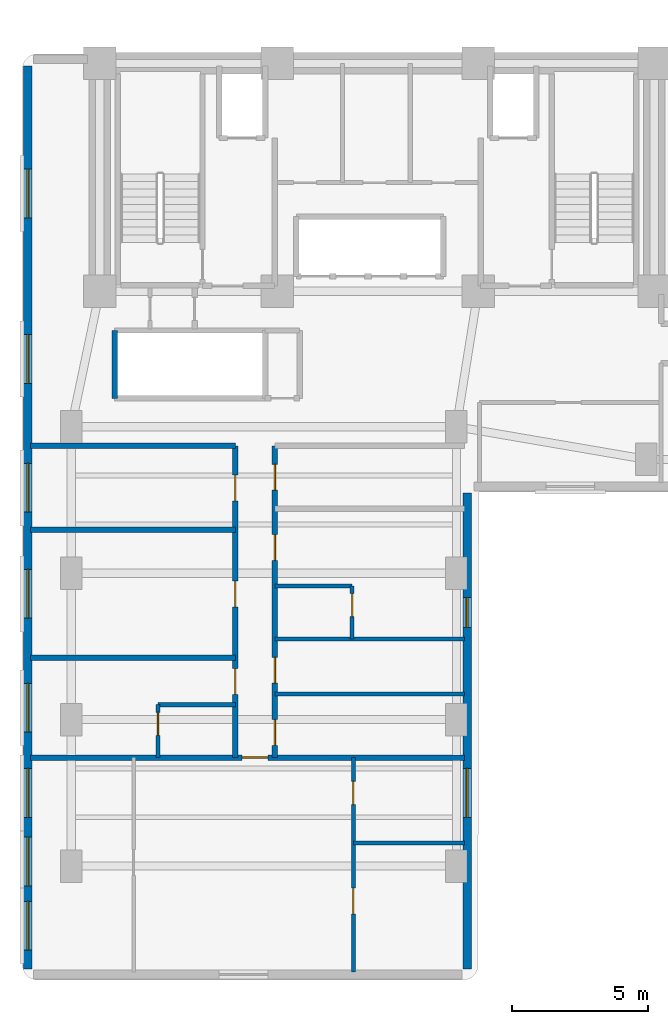
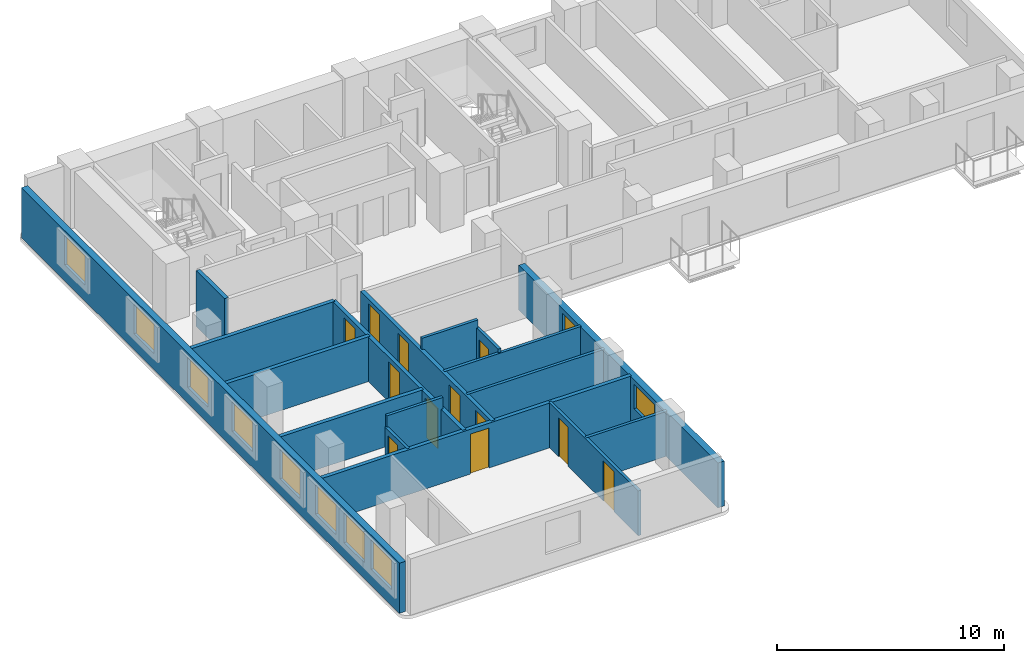
# One storey, part 3 of 10: 17 walls, 12 doors, 10 windows, 22 openings.
"""IFC4 building model written with IfcOpenShell, lengths in metres."""

from ifc_helpers import new_model, si_unit, direction, frame, frame_2d, origin, place, context, subcontext, project, spatial, rectangle, extrude, material, layer, layer_set, type_object, element, fill, save


model = new_model("IFC4")

# Units and contexts
model_context = context("Model", 3, precision=1e-05, world=origin(), true_north=direction((0.0, 1.0)))
body_context = subcontext(model_context, "Body", "Model", "MODEL_VIEW")
ifc_project = project(units=[si_unit("LENGTHUNIT", "METRE"), si_unit("AREAUNIT", "SQUARE_METRE"), si_unit("VOLUMEUNIT", "CUBIC_METRE"), si_unit("PLANEANGLEUNIT", "RADIAN"), si_unit("MASSUNIT", "GRAM", prefix="KILO")], contexts=[model_context])

# Site, building, storey
site_placement = place(None, origin())
site = spatial("IfcSite", under=ifc_project, at=site_placement, CompositionType="ELEMENT")
building_placement = place(site_placement, origin())
building = spatial("IfcBuilding", under=site, at=building_placement, Name="Kuzgunbayir Cultural Tower", CompositionType="ELEMENT")
storey_placement = place(building_placement, frame((0.0, 0.0, 93.0)))
storey = spatial("IfcBuildingStorey", under=building, at=storey_placement, Name="L26", CompositionType="ELEMENT", Elevation=93.0)

# Wall, openings, windows
ifc_material_1 = material(Name="Travertine Buff Ashlar", Category="masonry")
ifc_layer_1 = layer(ifc_material_1, 0.320068359375)
ifc_layer_set_1 = layer_set([ifc_layer_1], Name="Travertine Buff Ashlar")
wall_type_1 = type_object("IfcWallType", Name="WAL-EXT-STONE-320", PredefinedType="STANDARD", material=ifc_layer_set_1)
wall_1_placement = place(storey_placement, frame((3.800048828125, 42.10009765625, 0.0), z_axis=(0.0, 0.0, 1.0), x_axis=(0.0, -1.0, 0.0)))
wall_1 = element("IfcWall", 1, at=wall_1_placement, inside=storey, type_object=wall_type_1, Name="L26 Wing A West Limestone Wall", PredefinedType="STANDARD", context=body_context, shape_type="SweptSolid", body=[
    extrude(rectangle(XDim=33.300048828125, YDim=0.320068359375, at=frame_2d((16.64990234375, 0.0))), origin(), (0.0, 0.0, 1.0), 2.699951171875),
])
opening_1_placement = place(wall_1_placement, frame((22.760009765625, 0.0, 0.85009765625)))
opening_1 = element("IfcOpeningElement", 2, at=opening_1_placement, cuts=wall_1, Name="Opening WH-18", PredefinedType="OPENING", context=body_context, shape_type="SweptSolid", body=[
    extrude(rectangle(XDim=1.800048828125, YDim=1.60009765625, at=frame_2d((0.89990234375, 0.800048828125))), frame((0.0, 0.169921875, 0.0), z_axis=(0.0, -1.0, 0.0), x_axis=(1.0, 0.0, 0.0)), (0.0, 0.0, 1.0), 0.340087890625),
])
opening_2_placement = place(wall_1_placement, frame((18.56005859375, 0.0, 0.85009765625)))
opening_2 = element("IfcOpeningElement", 3, at=opening_2_placement, cuts=wall_1, Name="Opening WH-18", PredefinedType="OPENING", context=body_context, shape_type="SweptSolid", body=[
    extrude(rectangle(XDim=1.800048828125, YDim=1.60009765625, at=frame_2d((0.89990234375, 0.800048828125))), frame((0.0, 0.169921875, 0.0), z_axis=(0.0, -1.0, 0.0), x_axis=(1.0, 0.0, 0.0)), (0.0, 0.0, 1.0), 0.340087890625),
])
opening_3_placement = place(wall_1_placement, frame((14.64990234375, 0.0, 0.85009765625)))
opening_3 = element("IfcOpeningElement", 4, at=opening_3_placement, cuts=wall_1, Name="Opening WH-18", PredefinedType="OPENING", context=body_context, shape_type="SweptSolid", body=[
    extrude(rectangle(XDim=1.800048828125, YDim=1.60009765625, at=frame_2d((0.89990234375, 0.800048828125))), frame((0.0, 0.169921875, 0.0), z_axis=(0.0, -1.0, 0.0), x_axis=(1.0, 0.0, 0.0)), (0.0, 0.0, 1.0), 0.340087890625),
])
opening_4_placement = place(wall_1_placement, frame((28.429931640625, 0.0, 0.85009765625)))
opening_4 = element("IfcOpeningElement", 5, at=opening_4_placement, cuts=wall_1, Name="Opening WH-18", PredefinedType="OPENING", context=body_context, shape_type="SweptSolid", body=[
    extrude(rectangle(XDim=1.800048828125, YDim=1.60009765625, at=frame_2d((0.89990234375, 0.800048828125))), frame((0.0, 0.169921875, 0.0), z_axis=(0.0, -1.0, 0.0), x_axis=(1.0, 0.0, 0.0)), (0.0, 0.0, 1.0), 0.340087890625),
])
opening_5_placement = place(wall_1_placement, frame((30.800048828125, 0.0, 0.85009765625)))
opening_5 = element("IfcOpeningElement", 6, at=opening_5_placement, cuts=wall_1, Name="Opening WH-18", PredefinedType="OPENING", context=body_context, shape_type="SweptSolid", body=[
    extrude(rectangle(XDim=1.800048828125, YDim=1.60009765625, at=frame_2d((0.89990234375, 0.800048828125))), frame((0.0, 0.169921875, 0.0), z_axis=(0.0, -1.0, 0.0), x_axis=(1.0, 0.0, 0.0)), (0.0, 0.0, 1.0), 0.340087890625),
])
opening_6_placement = place(wall_1_placement, frame((25.89990234375, 0.0, 0.85009765625)))
opening_6 = element("IfcOpeningElement", 7, at=opening_6_placement, cuts=wall_1, Name="Opening WH-18", PredefinedType="OPENING", context=body_context, shape_type="SweptSolid", body=[
    extrude(rectangle(XDim=1.800048828125, YDim=1.60009765625, at=frame_2d((0.89990234375, 0.800048828125))), frame((0.0, 0.169921875, 0.0), z_axis=(0.0, -1.0, 0.0), x_axis=(1.0, 0.0, 0.0)), (0.0, 0.0, 1.0), 0.340087890625),
])
opening_7_placement = place(wall_1_placement, frame((9.89990234375, 0.0, 0.85009765625)))
opening_7 = element("IfcOpeningElement", 8, at=opening_7_placement, cuts=wall_1, Name="Opening WH-18", PredefinedType="OPENING", context=body_context, shape_type="SweptSolid", body=[
    extrude(rectangle(XDim=1.800048828125, YDim=1.60009765625, at=frame_2d((0.89990234375, 0.800048828125))), frame((0.0, 0.169921875, 0.0), z_axis=(0.0, -1.0, 0.0), x_axis=(1.0, 0.0, 0.0)), (0.0, 0.0, 1.0), 0.340087890625),
])
opening_8_placement = place(wall_1_placement, frame((3.800048828125, 0.0, 0.85009765625)))
opening_8 = element("IfcOpeningElement", 9, at=opening_8_placement, cuts=wall_1, Name="Opening WH-18", PredefinedType="OPENING", context=body_context, shape_type="SweptSolid", body=[
    extrude(rectangle(XDim=1.800048828125, YDim=1.60009765625, at=frame_2d((0.89990234375, 0.800048828125))), frame((0.0, 0.169921875, 0.0), z_axis=(0.0, -1.0, 0.0), x_axis=(1.0, 0.0, 0.0)), (0.0, 0.0, 1.0), 0.340087890625),
])
ifc_material_2 = material(Name="Solar-Control Triple Glazing", Category="glass")
window_type_1 = type_object("IfcWindowType", Name="WIN-HOTEL-18", PartitioningType="SINGLE_PANEL", PredefinedType="WINDOW", material=ifc_material_2)
window_1_placement = place(opening_1_placement, origin())
window_1 = element("IfcWindow", 10, at=window_1_placement, inside=storey, type_object=window_type_1, Name="L26 WAW Facade Window 2", OverallHeight=1.60009765625, OverallWidth=1.800048828125, PartitioningType="SINGLE_PANEL", PredefinedType="WINDOW", context=body_context, shape_type="SweptSolid", body=[
    extrude(rectangle(XDim=1.800048828125, YDim=1.60009765625, at=frame_2d((0.89990234375, 0.800048828125))), frame((0.0, 0.030029296875, 0.0), z_axis=(0.0, -1.0, 0.0), x_axis=(1.0, 0.0, 0.0)), (0.0, 0.0, 1.0), 0.06005859375),
])
fill(opening_1, window_1)
window_2_placement = place(opening_2_placement, origin())
window_2 = element("IfcWindow", 11, at=window_2_placement, inside=storey, type_object=window_type_1, Name="L26 WAW Facade Window 3", OverallHeight=1.60009765625, OverallWidth=1.800048828125, PartitioningType="SINGLE_PANEL", PredefinedType="WINDOW", context=body_context, shape_type="SweptSolid", body=[
    extrude(rectangle(XDim=1.800048828125, YDim=1.60009765625, at=frame_2d((0.89990234375, 0.800048828125))), frame((0.0, 0.030029296875, 0.0), z_axis=(0.0, -1.0, 0.0), x_axis=(1.0, 0.0, 0.0)), (0.0, 0.0, 1.0), 0.06005859375),
])
fill(opening_2, window_2)
window_3_placement = place(opening_3_placement, origin())
window_3 = element("IfcWindow", 12, at=window_3_placement, inside=storey, type_object=window_type_1, Name="L26 WAW Facade Window 4", OverallHeight=1.60009765625, OverallWidth=1.800048828125, PartitioningType="SINGLE_PANEL", PredefinedType="WINDOW", context=body_context, shape_type="SweptSolid", body=[
    extrude(rectangle(XDim=1.800048828125, YDim=1.60009765625, at=frame_2d((0.89990234375, 0.800048828125))), frame((0.0, 0.030029296875, 0.0), z_axis=(0.0, -1.0, 0.0), x_axis=(1.0, 0.0, 0.0)), (0.0, 0.0, 1.0), 0.06005859375),
])
fill(opening_3, window_3)
window_4_placement = place(opening_4_placement, origin())
window_4 = element("IfcWindow", 13, at=window_4_placement, inside=storey, type_object=window_type_1, Name="L26 WAW Facade Window 5", OverallHeight=1.60009765625, OverallWidth=1.800048828125, PartitioningType="SINGLE_PANEL", PredefinedType="WINDOW", context=body_context, shape_type="SweptSolid", body=[
    extrude(rectangle(XDim=1.800048828125, YDim=1.60009765625, at=frame_2d((0.89990234375, 0.800048828125))), frame((0.0, 0.030029296875, 0.0), z_axis=(0.0, -1.0, 0.0), x_axis=(1.0, 0.0, 0.0)), (0.0, 0.0, 1.0), 0.06005859375),
])
fill(opening_4, window_4)
window_5_placement = place(opening_5_placement, origin())
window_5 = element("IfcWindow", 14, at=window_5_placement, inside=storey, type_object=window_type_1, Name="L26 WAW Facade Window 11", OverallHeight=1.60009765625, OverallWidth=1.800048828125, PartitioningType="SINGLE_PANEL", PredefinedType="WINDOW", context=body_context, shape_type="SweptSolid", body=[
    extrude(rectangle(XDim=1.800048828125, YDim=1.60009765625, at=frame_2d((0.89990234375, 0.800048828125))), frame((0.0, 0.030029296875, 0.0), z_axis=(0.0, -1.0, 0.0), x_axis=(1.0, 0.0, 0.0)), (0.0, 0.0, 1.0), 0.06005859375),
])
fill(opening_5, window_5)
window_6_placement = place(opening_6_placement, origin())
window_6 = element("IfcWindow", 15, at=window_6_placement, inside=storey, type_object=window_type_1, Name="L26 WAW Facade Window 12", OverallHeight=1.60009765625, OverallWidth=1.800048828125, PartitioningType="SINGLE_PANEL", PredefinedType="WINDOW", context=body_context, shape_type="SweptSolid", body=[
    extrude(rectangle(XDim=1.800048828125, YDim=1.60009765625, at=frame_2d((0.89990234375, 0.800048828125))), frame((0.0, 0.030029296875, 0.0), z_axis=(0.0, -1.0, 0.0), x_axis=(1.0, 0.0, 0.0)), (0.0, 0.0, 1.0), 0.06005859375),
])
fill(opening_6, window_6)
window_7_placement = place(opening_7_placement, origin())
window_7 = element("IfcWindow", 16, at=window_7_placement, inside=storey, type_object=window_type_1, Name="L26 WAW Facade Window 13", OverallHeight=1.60009765625, OverallWidth=1.800048828125, PartitioningType="SINGLE_PANEL", PredefinedType="WINDOW", context=body_context, shape_type="SweptSolid", body=[
    extrude(rectangle(XDim=1.800048828125, YDim=1.60009765625, at=frame_2d((0.89990234375, 0.800048828125))), frame((0.0, 0.030029296875, 0.0), z_axis=(0.0, -1.0, 0.0), x_axis=(1.0, 0.0, 0.0)), (0.0, 0.0, 1.0), 0.06005859375),
])
fill(opening_7, window_7)
window_8_placement = place(opening_8_placement, origin())
window_8 = element("IfcWindow", 17, at=window_8_placement, inside=storey, type_object=window_type_1, Name="L26 WAW Facade Window 14", OverallHeight=1.60009765625, OverallWidth=1.800048828125, PartitioningType="SINGLE_PANEL", PredefinedType="WINDOW", context=body_context, shape_type="SweptSolid", body=[
    extrude(rectangle(XDim=1.800048828125, YDim=1.60009765625, at=frame_2d((0.89990234375, 0.800048828125))), frame((0.0, 0.030029296875, 0.0), z_axis=(0.0, -1.0, 0.0), x_axis=(1.0, 0.0, 0.0)), (0.0, 0.0, 1.0), 0.06005859375),
])
fill(opening_8, window_8)

wall_2_placement = place(storey_placement, frame((20.0, 8.800048828125, 0.0), z_axis=(0.0, 0.0, 1.0), x_axis=(0.0, 1.0, 0.0)))
wall_2 = element("IfcWall", 18, at=wall_2_placement, inside=storey, type_object=wall_type_1, Name="L26 Wing A East Limestone Wall", PredefinedType="STANDARD", context=body_context, shape_type="SweptSolid", body=[
    extrude(rectangle(XDim=17.550048828125, YDim=0.320068359375, at=frame_2d((8.77490234375, 0.0))), origin(), (0.0, 0.0, 1.0), 2.409912109375),
])
opening_9_placement = place(wall_2_placement, frame((12.60009765625, 0.0, 0.85009765625)))
opening_9 = element("IfcOpeningElement", 19, at=opening_9_placement, cuts=wall_2, Name="Opening WN-11", PredefinedType="OPENING", context=body_context, shape_type="SweptSolid", body=[
    extrude(rectangle(XDim=1.10009765625, YDim=1.31005859375, at=frame_2d((0.550048828125, 0.655029296875))), frame((0.0, 0.169921875, 0.0), z_axis=(0.0, -1.0, 0.0), x_axis=(1.0, 0.0, 0.0)), (0.0, 0.0, 1.0), 0.340087890625),
])
opening_10_placement = place(wall_2_placement, frame((5.60009765625, 0.0, 0.85009765625)))
opening_10 = element("IfcOpeningElement", 20, at=opening_10_placement, cuts=wall_2, Name="Opening WH-18", PredefinedType="OPENING", context=body_context, shape_type="SweptSolid", body=[
    extrude(rectangle(XDim=1.800048828125, YDim=1.31005859375, at=frame_2d((0.89990234375, 0.655029296875))), frame((0.0, 0.169921875, 0.0), z_axis=(0.0, -1.0, 0.0), x_axis=(1.0, 0.0, 0.0)), (0.0, 0.0, 1.0), 0.340087890625),
])
window_9_placement = place(opening_10_placement, origin())
window_9 = element("IfcWindow", 21, at=window_9_placement, inside=storey, type_object=window_type_1, Name="L26 WAE Facade Window 15", OverallHeight=1.31005859375, OverallWidth=1.800048828125, PartitioningType="SINGLE_PANEL", PredefinedType="WINDOW", context=body_context, shape_type="SweptSolid", body=[
    extrude(rectangle(XDim=1.800048828125, YDim=1.31005859375, at=frame_2d((0.89990234375, 0.655029296875))), frame((0.0, 0.030029296875, 0.0), z_axis=(0.0, -1.0, 0.0), x_axis=(1.0, 0.0, 0.0)), (0.0, 0.0, 1.0), 0.06005859375),
])
fill(opening_10, window_9)
window_type_2 = type_object("IfcWindowType", Name="WIN-NARROW-11", PartitioningType="SINGLE_PANEL", PredefinedType="WINDOW", material=ifc_material_2)
window_10_placement = place(opening_9_placement, origin())
window_10 = element("IfcWindow", 22, at=window_10_placement, inside=storey, type_object=window_type_2, Name="L26 WAE Facade Window 7", OverallHeight=1.31005859375, OverallWidth=1.10009765625, PartitioningType="SINGLE_PANEL", PredefinedType="WINDOW", context=body_context, shape_type="SweptSolid", body=[
    extrude(rectangle(XDim=1.10009765625, YDim=1.31005859375, at=frame_2d((0.550048828125, 0.655029296875))), frame((0.0, 0.030029296875, 0.0), z_axis=(0.0, -1.0, 0.0), x_axis=(1.0, 0.0, 0.0)), (0.0, 0.0, 1.0), 0.06005859375),
])
fill(opening_9, window_10)

# Wall
ifc_material_3 = material(Name="Acoustic Double-Stud Drywall", Category="gypsum")
ifc_layer_2 = layer(ifc_material_3, 0.14990234375)
ifc_layer_set_2 = layer_set([ifc_layer_2], Name="Acoustic Double-Stud Drywall")
wall_type_2 = type_object("IfcWallType", Name="WAL-PART-ACOUSTIC-150", PredefinedType="PARTITIONING", material=ifc_layer_set_2)
wall_3_placement = place(storey_placement, frame((12.909912109375, 18.949951171875, 0.0), z_axis=(0.0, 0.0, 1.0), x_axis=(1.0, 0.0, 0.0)))
element("IfcWall", 23, at=wall_3_placement, inside=storey, type_object=wall_type_2, Name="L26 Housekeeping North Wall", PredefinedType="PARTITIONING", context=body_context, shape_type="SweptSolid", body=[
    extrude(rectangle(XDim=6.989990234375, YDim=0.14990234375, at=frame_2d((3.4951171875, 0.0))), origin(), (0.0, 0.0, 1.0), 2.409912109375),
])

# Wall, openings, doors
ifc_material_4 = material(Name="Aerated Concrete Blockwork", Category="masonry")
ifc_layer_3 = layer(ifc_material_4, 0.199951171875)
ifc_layer_set_3 = layer_set([ifc_layer_3], Name="Aerated Concrete Blockwork")
wall_type_3 = type_object("IfcWallType", Name="WAL-PART-FIRE-200", PredefinedType="PARTITIONING", material=ifc_layer_set_3)
wall_4_placement = place(storey_placement, frame((11.449951171875, 16.60009765625, 0.0), z_axis=(0.0, 0.0, 1.0), x_axis=(0.0, 1.0, 0.0)))
wall_4 = element("IfcWall", 24, at=wall_4_placement, inside=storey, type_object=wall_type_3, Name="L26 Wing A West Corridor Wall", PredefinedType="PARTITIONING", context=body_context, shape_type="SweptSolid", body=[
    extrude(rectangle(XDim=11.5, YDim=0.199951171875, at=frame_2d((5.75, 0.0))), origin(), (0.0, 0.0, 1.0), 2.409912109375),
])
opening_11_placement = place(wall_4_placement, frame((2.330078125, 0.0, 0.0)))
opening_11 = element("IfcOpeningElement", 25, at=opening_11_placement, cuts=wall_4, Name="Opening DR-APT-60", PredefinedType="OPENING", context=body_context, shape_type="SweptSolid", body=[
    extrude(rectangle(XDim=0.949951171875, YDim=2.14990234375, at=frame_2d((0.47509765625, 1.074951171875))), frame((0.0, 0.10986328125, 0.0), z_axis=(0.0, -1.0, 0.0), x_axis=(1.0, 0.0, 0.0)), (0.0, 0.0, 1.0), 0.219970703125),
])
opening_12_placement = place(wall_4_placement, frame((5.56005859375, 0.0, 0.0)))
opening_12 = element("IfcOpeningElement", 26, at=opening_12_placement, cuts=wall_4, Name="Opening DI-90", PredefinedType="OPENING", context=body_context, shape_type="SweptSolid", body=[
    extrude(rectangle(XDim=0.949951171875, YDim=2.14990234375, at=frame_2d((0.47509765625, 1.074951171875))), frame((0.0, 0.10986328125, 0.0), z_axis=(0.0, -1.0, 0.0), x_axis=(1.0, 0.0, 0.0)), (0.0, 0.0, 1.0), 0.219970703125),
])
opening_13_placement = place(wall_4_placement, frame((9.469970703125, 0.0, 0.0)))
opening_13 = element("IfcOpeningElement", 27, at=opening_13_placement, cuts=wall_4, Name="Opening DI-90", PredefinedType="OPENING", context=body_context, shape_type="SweptSolid", body=[
    extrude(rectangle(XDim=0.949951171875, YDim=2.14990234375, at=frame_2d((0.47509765625, 1.074951171875))), frame((0.0, 0.10986328125, 0.0), z_axis=(0.0, -1.0, 0.0), x_axis=(1.0, 0.0, 0.0)), (0.0, 0.0, 1.0), 0.219970703125),
])
ifc_material_5 = material(Name="Acoustic Fire Timber Leaf", Category="wood")
door_type_1 = type_object("IfcDoorType", Name="DR-APT-60", OperationType="NOTDEFINED", PredefinedType="DOOR", material=ifc_material_5)
door_1_placement = place(opening_11_placement, origin())
door_1 = element("IfcDoor", 28, at=door_1_placement, inside=storey, type_object=door_type_1, Name="L26 Guest Suite W1 Entrance", OperationType="SINGLE_SWING_LEFT", OverallHeight=2.14990234375, OverallWidth=0.949951171875, PredefinedType="DOOR", context=body_context, shape_type="SweptSolid", body=[
    extrude(rectangle(XDim=0.949951171875, YDim=2.14990234375, at=frame_2d((0.47509765625, 1.074951171875))), frame((0.0, 0.02490234375, 0.0), z_axis=(0.0, -1.0, 0.0), x_axis=(1.0, 0.0, 0.0)), (0.0, 0.0, 1.0), 0.050048828125),
])
fill(opening_11, door_1)
ifc_material_6 = material(Name="Veneered Oak Single Leaf", Category="wood")
door_type_2 = type_object("IfcDoorType", Name="DR-INT-90", OperationType="NOTDEFINED", PredefinedType="DOOR", material=ifc_material_6)
door_2_placement = place(opening_12_placement, origin())
door_2 = element("IfcDoor", 29, at=door_2_placement, inside=storey, type_object=door_type_2, Name="L26 Wellness Consultation Studio 2 Door", OperationType="SINGLE_SWING_RIGHT", OverallHeight=2.14990234375, OverallWidth=0.949951171875, PredefinedType="DOOR", context=body_context, shape_type="SweptSolid", body=[
    extrude(rectangle(XDim=0.949951171875, YDim=2.14990234375, at=frame_2d((0.47509765625, 1.074951171875))), frame((0.0, 0.02490234375, 0.0), z_axis=(0.0, -1.0, 0.0), x_axis=(1.0, 0.0, 0.0)), (0.0, 0.0, 1.0), 0.050048828125),
])
fill(opening_12, door_2)
door_3_placement = place(opening_13_placement, origin())
door_3 = element("IfcDoor", 30, at=door_3_placement, inside=storey, type_object=door_type_2, Name="L26 Wellness Consultation Studio 3 Door", OperationType="SINGLE_SWING_LEFT", OverallHeight=2.14990234375, OverallWidth=0.949951171875, PredefinedType="DOOR", context=body_context, shape_type="SweptSolid", body=[
    extrude(rectangle(XDim=0.949951171875, YDim=2.14990234375, at=frame_2d((0.47509765625, 1.074951171875))), frame((0.0, 0.02490234375, 0.0), z_axis=(0.0, -1.0, 0.0), x_axis=(1.0, 0.0, 0.0)), (0.0, 0.0, 1.0), 0.050048828125),
])
fill(opening_13, door_3)

wall_5_placement = place(storey_placement, frame((12.909912109375, 16.60009765625, 0.0), z_axis=(0.0, 0.0, 1.0), x_axis=(0.0, 1.0, 0.0)))
wall_5 = element("IfcWall", 31, at=wall_5_placement, inside=storey, type_object=wall_type_3, Name="L26 Wing A East Corridor Wall", PredefinedType="PARTITIONING", context=body_context, shape_type="SweptSolid", body=[
    extrude(rectangle(XDim=11.5, YDim=0.199951171875, at=frame_2d((5.75, 0.0))), origin(), (0.0, 0.0, 1.0), 2.409912109375),
])
opening_14_placement = place(wall_5_placement, frame((0.449951171875, 0.0, 0.0)))
opening_14 = element("IfcOpeningElement", 32, at=opening_14_placement, cuts=wall_5, Name="Opening DI-90", PredefinedType="OPENING", context=body_context, shape_type="SweptSolid", body=[
    extrude(rectangle(XDim=0.949951171875, YDim=2.14990234375, at=frame_2d((0.47509765625, 1.074951171875))), frame((0.0, 0.10986328125, 0.0), z_axis=(0.0, -1.0, 0.0), x_axis=(1.0, 0.0, 0.0)), (0.0, 0.0, 1.0), 0.219970703125),
])
opening_15_placement = place(wall_5_placement, frame((2.75, 0.0, 0.0)))
opening_15 = element("IfcOpeningElement", 33, at=opening_15_placement, cuts=wall_5, Name="Opening DW-95", PredefinedType="OPENING", context=body_context, shape_type="SweptSolid", body=[
    extrude(rectangle(XDim=0.949951171875, YDim=2.10009765625, at=frame_2d((0.47509765625, 1.050048828125))), frame((0.0, 0.10986328125, 0.0), z_axis=(0.0, -1.0, 0.0), x_axis=(1.0, 0.0, 0.0)), (0.0, 0.0, 1.0), 0.219970703125),
])
opening_16_placement = place(wall_5_placement, frame((9.860107421875, 0.0, 0.0)))
opening_16 = element("IfcOpeningElement", 34, at=opening_16_placement, cuts=wall_5, Name="Opening DI-90", PredefinedType="OPENING", context=body_context, shape_type="SweptSolid", body=[
    extrude(rectangle(XDim=0.949951171875, YDim=2.14990234375, at=frame_2d((0.47509765625, 1.074951171875))), frame((0.0, 0.10986328125, 0.0), z_axis=(0.0, -1.0, 0.0), x_axis=(1.0, 0.0, 0.0)), (0.0, 0.0, 1.0), 0.219970703125),
])
opening_17_placement = place(wall_5_placement, frame((7.27001953125, 0.0, 0.0)))
opening_17 = element("IfcOpeningElement", 35, at=opening_17_placement, cuts=wall_5, Name="Opening DR-APT-60", PredefinedType="OPENING", context=body_context, shape_type="SweptSolid", body=[
    extrude(rectangle(XDim=0.949951171875, YDim=2.14990234375, at=frame_2d((0.47509765625, 1.074951171875))), frame((0.0, 0.10986328125, 0.0), z_axis=(0.0, -1.0, 0.0), x_axis=(1.0, 0.0, 0.0)), (0.0, 0.0, 1.0), 0.219970703125),
])
door_4_placement = place(opening_17_placement, origin())
door_4 = element("IfcDoor", 36, at=door_4_placement, inside=storey, type_object=door_type_1, Name="L26 Guest Suite E1 Entrance", OperationType="SINGLE_SWING_RIGHT", OverallHeight=2.14990234375, OverallWidth=0.949951171875, PredefinedType="DOOR", context=body_context, shape_type="SweptSolid", body=[
    extrude(rectangle(XDim=0.949951171875, YDim=2.14990234375, at=frame_2d((0.47509765625, 1.074951171875))), frame((0.0, 0.02490234375, 0.0), z_axis=(0.0, -1.0, 0.0), x_axis=(1.0, 0.0, 0.0)), (0.0, 0.0, 1.0), 0.050048828125),
])
fill(opening_17, door_4)
door_5_placement = place(opening_14_placement, origin())
door_5 = element("IfcDoor", 37, at=door_5_placement, inside=storey, type_object=door_type_2, Name="L26 Housekeeping Room Door", OperationType="SINGLE_SWING_RIGHT", OverallHeight=2.14990234375, OverallWidth=0.949951171875, PredefinedType="DOOR", context=body_context, shape_type="SweptSolid", body=[
    extrude(rectangle(XDim=0.949951171875, YDim=2.14990234375, at=frame_2d((0.47509765625, 1.074951171875))), frame((0.0, 0.02490234375, 0.0), z_axis=(0.0, -1.0, 0.0), x_axis=(1.0, 0.0, 0.0)), (0.0, 0.0, 1.0), 0.050048828125),
])
fill(opening_14, door_5)
door_6_placement = place(opening_16_placement, origin())
door_6 = element("IfcDoor", 38, at=door_6_placement, inside=storey, type_object=door_type_2, Name="L26 Wellness Consultation Studio E1 Door", OperationType="SINGLE_SWING_RIGHT", OverallHeight=2.14990234375, OverallWidth=0.949951171875, PredefinedType="DOOR", context=body_context, shape_type="SweptSolid", body=[
    extrude(rectangle(XDim=0.949951171875, YDim=2.14990234375, at=frame_2d((0.47509765625, 1.074951171875))), frame((0.0, 0.02490234375, 0.0), z_axis=(0.0, -1.0, 0.0), x_axis=(1.0, 0.0, 0.0)), (0.0, 0.0, 1.0), 0.050048828125),
])
fill(opening_16, door_6)
ifc_material_7 = material(Name="Laminate Moisture-Resistant Leaf", Category="wood")
door_type_3 = type_object("IfcDoorType", Name="DR-WET-95", OperationType="NOTDEFINED", PredefinedType="DOOR", material=ifc_material_7)
door_7_placement = place(opening_15_placement, origin())
door_7 = element("IfcDoor", 39, at=door_7_placement, inside=storey, type_object=door_type_3, Name="L26 Accessible WC Door", OperationType="SINGLE_SWING_LEFT", OverallHeight=2.10009765625, OverallWidth=0.949951171875, PredefinedType="DOOR", context=body_context, shape_type="SweptSolid", body=[
    extrude(rectangle(XDim=0.949951171875, YDim=2.10009765625, at=frame_2d((0.47509765625, 1.050048828125))), frame((0.0, 0.02490234375, 0.0), z_axis=(0.0, -1.0, 0.0), x_axis=(1.0, 0.0, 0.0)), (0.0, 0.0, 1.0), 0.050048828125),
])
fill(opening_15, door_7)

# Wall, opening, door
wall_6_placement = place(storey_placement, frame((3.89990234375, 16.60009765625, 0.0), z_axis=(0.0, 0.0, 1.0), x_axis=(1.0, 0.0, 0.0)))
wall_6 = element("IfcWall", 40, at=wall_6_placement, inside=storey, type_object=wall_type_3, Name="L26 South Cross Partition", PredefinedType="PARTITIONING", context=body_context, shape_type="SweptSolid", body=[
    extrude(rectangle(XDim=16.0, YDim=0.199951171875, at=frame_2d((8.0, 0.0))), origin(), (0.0, 0.0, 1.0), 2.409912109375),
])
opening_18_placement = place(wall_6_placement, frame((7.800048828125, 0.0, 0.0)))
opening_18 = element("IfcOpeningElement", 41, at=opening_18_placement, cuts=wall_6, Name="Opening DR-APT-60", PredefinedType="OPENING", context=body_context, shape_type="SweptSolid", body=[
    extrude(rectangle(XDim=0.949951171875, YDim=2.14990234375, at=frame_2d((0.47509765625, 1.074951171875))), frame((0.0, 0.10986328125, 0.0), z_axis=(0.0, -1.0, 0.0), x_axis=(1.0, 0.0, 0.0)), (0.0, 0.0, 1.0), 0.219970703125),
])
door_8_placement = place(opening_18_placement, origin())
door_8 = element("IfcDoor", 42, at=door_8_placement, inside=storey, type_object=door_type_1, Name="L26 Diplomatic Suite Entrance", OperationType="SINGLE_SWING_RIGHT", OverallHeight=2.14990234375, OverallWidth=0.949951171875, PredefinedType="DOOR", context=body_context, shape_type="SweptSolid", body=[
    extrude(rectangle(XDim=0.949951171875, YDim=2.14990234375, at=frame_2d((0.47509765625, 1.074951171875))), frame((0.0, 0.02490234375, 0.0), z_axis=(0.0, -1.0, 0.0), x_axis=(1.0, 0.0, 0.0)), (0.0, 0.0, 1.0), 0.050048828125),
])
fill(opening_18, door_8)

# Walls
for number, where, z_axis, x_axis, name in (
    (43, (3.89990234375, 28.10009765625, 0.0), (0.0, 0.0, 1.0), (1.0, 0.0, 0.0), "L26 North West Partition"),
    (44, (3.89990234375, 20.280029296875, 0.0), (0.0, 0.0, 1.0), (1.0, 0.0, 0.0), "L26 West Party Wall 1"),
    (45, (3.89990234375, 25.0, 0.0), (0.0, 0.0, 1.0), (1.0, 0.0, 0.0), "L26 West Party Wall 2"),
):
    element("IfcWall", number, at=place(storey_placement, frame(where, z_axis=z_axis, x_axis=x_axis)), inside=storey, type_object=wall_type_3, Name=name, PredefinedType="PARTITIONING", context=body_context, shape_type="SweptSolid", body=[
        extrude(rectangle(XDim=7.550048828125, YDim=0.199951171875, at=frame_2d((3.77490234375, 0.0))), origin(), (0.0, 0.0, 1.0), 2.409912109375),
    ])
ifc_material_8 = material(Name="Moisture-Resistant Tile Partition", Category="gypsum")
ifc_layer_4 = layer(ifc_material_8, 0.14990234375)
ifc_layer_set_4 = layer_set([ifc_layer_4], Name="Moisture-Resistant Tile Partition")
wall_type_4 = type_object("IfcWallType", Name="WAL-PART-WET-150", PredefinedType="PARTITIONING", material=ifc_layer_set_4)
wall_7_placement = place(storey_placement, frame((8.60009765625, 18.550048828125, 0.0), z_axis=(0.0, 0.0, 1.0), x_axis=(1.0, 0.0, 0.0)))
element("IfcWall", 46, at=wall_7_placement, inside=storey, type_object=wall_type_4, Name="L26 Suite W1 En-Suite North Wall", PredefinedType="PARTITIONING", context=body_context, shape_type="SweptSolid", body=[
    extrude(rectangle(XDim=2.849853515625, YDim=0.14990234375, at=frame_2d((1.4248046875, 0.0))), origin(), (0.0, 0.0, 1.0), 3.02001953125),
])

# Wall, opening, door
wall_8_placement = place(storey_placement, frame((8.60009765625, 16.60009765625, 0.0), z_axis=(0.0, 0.0, 1.0), x_axis=(0.0, 1.0, 0.0)))
wall_8 = element("IfcWall", 47, at=wall_8_placement, inside=storey, type_object=wall_type_4, Name="L26 Suite W1 En-Suite West Wall", PredefinedType="PARTITIONING", context=body_context, shape_type="SweptSolid", body=[
    extrude(rectangle(XDim=1.949951171875, YDim=0.14990234375, at=frame_2d((0.97509765625, 0.0))), origin(), (0.0, 0.0, 1.0), 2.409912109375),
])
opening_19_placement = place(wall_8_placement, frame((0.820068359375, 0.0, 0.0)))
opening_19 = element("IfcOpeningElement", 48, at=opening_19_placement, cuts=wall_8, Name="Opening DW-85", PredefinedType="OPENING", context=body_context, shape_type="SweptSolid", body=[
    extrude(rectangle(XDim=0.85009765625, YDim=2.10009765625, at=frame_2d((0.425048828125, 1.050048828125))), frame((0.0, 0.0849609375, 0.0), z_axis=(0.0, -1.0, 0.0), x_axis=(1.0, 0.0, 0.0)), (0.0, 0.0, 1.0), 0.169921875),
])
door_type_4 = type_object("IfcDoorType", Name="DR-WET-85", OperationType="NOTDEFINED", PredefinedType="DOOR", material=ifc_material_7)
door_9_placement = place(opening_19_placement, origin())
door_9 = element("IfcDoor", 49, at=door_9_placement, inside=storey, type_object=door_type_4, Name="L26 Suite W1 En-Suite Door", OperationType="SINGLE_SWING_RIGHT", OverallHeight=2.10009765625, OverallWidth=0.85009765625, PredefinedType="DOOR", context=body_context, shape_type="SweptSolid", body=[
    extrude(rectangle(XDim=0.85009765625, YDim=2.10009765625, at=frame_2d((0.425048828125, 1.050048828125))), frame((0.0, 0.02490234375, 0.0), z_axis=(0.0, -1.0, 0.0), x_axis=(1.0, 0.0, 0.0)), (0.0, 0.0, 1.0), 0.050048828125),
])
fill(opening_19, door_9)

# Wall, openings, doors
wall_9_placement = place(storey_placement, frame((15.800048828125, 8.699951171875, 0.0), z_axis=(0.0, 0.0, 1.0), x_axis=(0.0, 1.0, 0.0)))
wall_9 = element("IfcWall", 50, at=wall_9_placement, inside=storey, type_object=wall_type_4, Name="L26 Diplomatic Suite Service Wall", PredefinedType="PARTITIONING", context=body_context, shape_type="SweptSolid", body=[
    extrude(rectangle(XDim=7.900146484375, YDim=0.14990234375, at=frame_2d((3.9501953125, 0.0))), origin(), (0.0, 0.0, 1.0), 2.409912109375),
])
opening_20_placement = place(wall_9_placement, frame((2.139892578125, 0.0, 0.0)))
opening_20 = element("IfcOpeningElement", 51, at=opening_20_placement, cuts=wall_9, Name="Opening DI-90", PredefinedType="OPENING", context=body_context, shape_type="SweptSolid", body=[
    extrude(rectangle(XDim=0.949951171875, YDim=2.14990234375, at=frame_2d((0.47509765625, 1.074951171875))), frame((0.0, 0.0849609375, 0.0), z_axis=(0.0, -1.0, 0.0), x_axis=(1.0, 0.0, 0.0)), (0.0, 0.0, 1.0), 0.169921875),
])
opening_21_placement = place(wall_9_placement, frame((6.169921875, 0.0, 0.0)))
opening_21 = element("IfcOpeningElement", 52, at=opening_21_placement, cuts=wall_9, Name="Opening DW-85", PredefinedType="OPENING", context=body_context, shape_type="SweptSolid", body=[
    extrude(rectangle(XDim=0.85009765625, YDim=2.10009765625, at=frame_2d((0.425048828125, 1.050048828125))), frame((0.0, 0.0849609375, 0.0), z_axis=(0.0, -1.0, 0.0), x_axis=(1.0, 0.0, 0.0)), (0.0, 0.0, 1.0), 0.169921875),
])
door_10_placement = place(opening_20_placement, origin())
door_10 = element("IfcDoor", 53, at=door_10_placement, inside=storey, type_object=door_type_2, Name="L26 Diplomatic Kitchen Door", OperationType="SINGLE_SWING_RIGHT", OverallHeight=2.14990234375, OverallWidth=0.949951171875, PredefinedType="DOOR", context=body_context, shape_type="SweptSolid", body=[
    extrude(rectangle(XDim=0.949951171875, YDim=2.14990234375, at=frame_2d((0.47509765625, 1.074951171875))), frame((0.0, 0.02490234375, 0.0), z_axis=(0.0, -1.0, 0.0), x_axis=(1.0, 0.0, 0.0)), (0.0, 0.0, 1.0), 0.050048828125),
])
fill(opening_20, door_10)
door_11_placement = place(opening_21_placement, origin())
door_11 = element("IfcDoor", 54, at=door_11_placement, inside=storey, type_object=door_type_4, Name="L26 Diplomatic Bathroom Door", OperationType="SINGLE_SWING_LEFT", OverallHeight=2.10009765625, OverallWidth=0.85009765625, PredefinedType="DOOR", context=body_context, shape_type="SweptSolid", body=[
    extrude(rectangle(XDim=0.85009765625, YDim=2.10009765625, at=frame_2d((0.425048828125, 1.050048828125))), frame((0.0, 0.02490234375, 0.0), z_axis=(0.0, -1.0, 0.0), x_axis=(1.0, 0.0, 0.0)), (0.0, 0.0, 1.0), 0.050048828125),
])
fill(opening_21, door_11)

# Walls
wall_10_placement = place(storey_placement, frame((15.800048828125, 13.449951171875, 0.0), z_axis=(0.0, 0.0, 1.0), x_axis=(1.0, 0.0, 0.0)))
element("IfcWall", 55, at=wall_10_placement, inside=storey, type_object=wall_type_4, Name="L26 Diplomatic Suite Bath Kitchen Divider", PredefinedType="PARTITIONING", context=body_context, shape_type="SweptSolid", body=[
    extrude(rectangle(XDim=4.099853515625, YDim=0.14990234375, at=frame_2d((2.0498046875, 0.0))), origin(), (0.0, 0.0, 1.0), 2.409912109375),
])
wall_11_placement = place(storey_placement, frame((12.909912109375, 20.97998046875, 0.0), z_axis=(0.0, 0.0, 1.0), x_axis=(1.0, 0.0, 0.0)))
element("IfcWall", 56, at=wall_11_placement, inside=storey, type_object=wall_type_4, Name="L26 Accessible WC North Wall", PredefinedType="PARTITIONING", context=body_context, shape_type="SweptSolid", body=[
    extrude(rectangle(XDim=6.989990234375, YDim=0.14990234375, at=frame_2d((3.4951171875, 0.0))), origin(), (0.0, 0.0, 1.0), 2.409912109375),
])
wall_12_placement = place(storey_placement, frame((12.909912109375, 22.929931640625, 0.0), z_axis=(0.0, 0.0, 1.0), x_axis=(1.0, 0.0, 0.0)))
element("IfcWall", 57, at=wall_12_placement, inside=storey, type_object=wall_type_4, Name="L26 Suite E1 En-Suite North Wall", PredefinedType="PARTITIONING", context=body_context, shape_type="SweptSolid", body=[
    extrude(rectangle(XDim=2.85009765625, YDim=0.14990234375, at=frame_2d((1.425048828125, 0.0))), origin(), (0.0, 0.0, 1.0), 3.02001953125),
])

# Wall, opening, door
wall_13_placement = place(storey_placement, frame((15.760009765625, 20.97998046875, 0.0), z_axis=(0.0, 0.0, 1.0), x_axis=(0.0, 1.0, 0.0)))
wall_13 = element("IfcWall", 58, at=wall_13_placement, inside=storey, type_object=wall_type_4, Name="L26 Suite E1 En-Suite East Wall", PredefinedType="PARTITIONING", context=body_context, shape_type="SweptSolid", body=[
    extrude(rectangle(XDim=1.949951171875, YDim=0.14990234375, at=frame_2d((0.97509765625, 0.0))), origin(), (0.0, 0.0, 1.0), 2.60009765625),
])
opening_22_placement = place(wall_13_placement, frame((0.820068359375, 0.0, 0.0)))
opening_22 = element("IfcOpeningElement", 59, at=opening_22_placement, cuts=wall_13, Name="Opening DW-85", PredefinedType="OPENING", context=body_context, shape_type="SweptSolid", body=[
    extrude(rectangle(XDim=0.85009765625, YDim=2.10009765625, at=frame_2d((0.425048828125, 1.050048828125))), frame((0.0, 0.0849609375, 0.0), z_axis=(0.0, -1.0, 0.0), x_axis=(1.0, 0.0, 0.0)), (0.0, 0.0, 1.0), 0.169921875),
])
door_12_placement = place(opening_22_placement, origin())
door_12 = element("IfcDoor", 60, at=door_12_placement, inside=storey, type_object=door_type_4, Name="L26 Suite E1 En-Suite Door", OperationType="SINGLE_SWING_LEFT", OverallHeight=2.10009765625, OverallWidth=0.85009765625, PredefinedType="DOOR", context=body_context, shape_type="SweptSolid", body=[
    extrude(rectangle(XDim=0.85009765625, YDim=2.10009765625, at=frame_2d((0.425048828125, 1.050048828125))), frame((0.0, 0.02490234375, 0.0), z_axis=(0.0, -1.0, 0.0), x_axis=(1.0, 0.0, 0.0)), (0.0, 0.0, 1.0), 0.050048828125),
])
fill(opening_22, door_12)

# Wall
ifc_material_9 = material(Name="Concrete C40/50", Category="concrete")
ifc_layer_5 = layer(ifc_material_9, 0.199951171875)
ifc_layer_set_5 = layer_set([ifc_layer_5], Name="Concrete C40/50")
wall_type_5 = type_object("IfcWallType", Name="WAL-SHAFT-200", PredefinedType="MOVABLE", material=ifc_layer_set_5)
wall_14_placement = place(storey_placement, frame((7.0, 29.85009765625, 0.0), z_axis=(0.0, 0.0, 1.0), x_axis=(0.0, 1.0, 0.0)))
element("IfcWall", 61, at=wall_14_placement, inside=storey, type_object=wall_type_5, Name="L26 High-Rise Lift Shaft West Wall", PredefinedType="MOVABLE", context=body_context, shape_type="SweptSolid", body=[
    extrude(rectangle(XDim=2.5, YDim=0.199951171875, at=frame_2d((1.25, 0.0))), origin(), (0.0, 0.0, 1.0), 3.02001953125),
])

save(model, "model.ifc")
